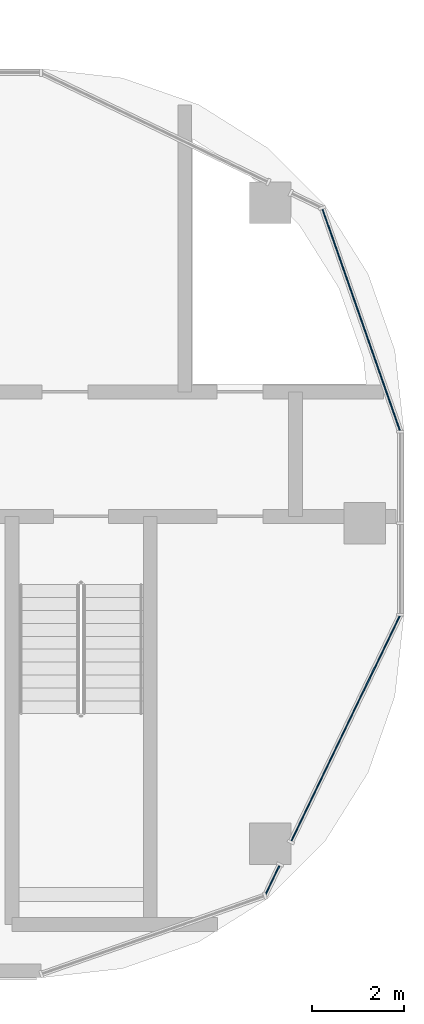
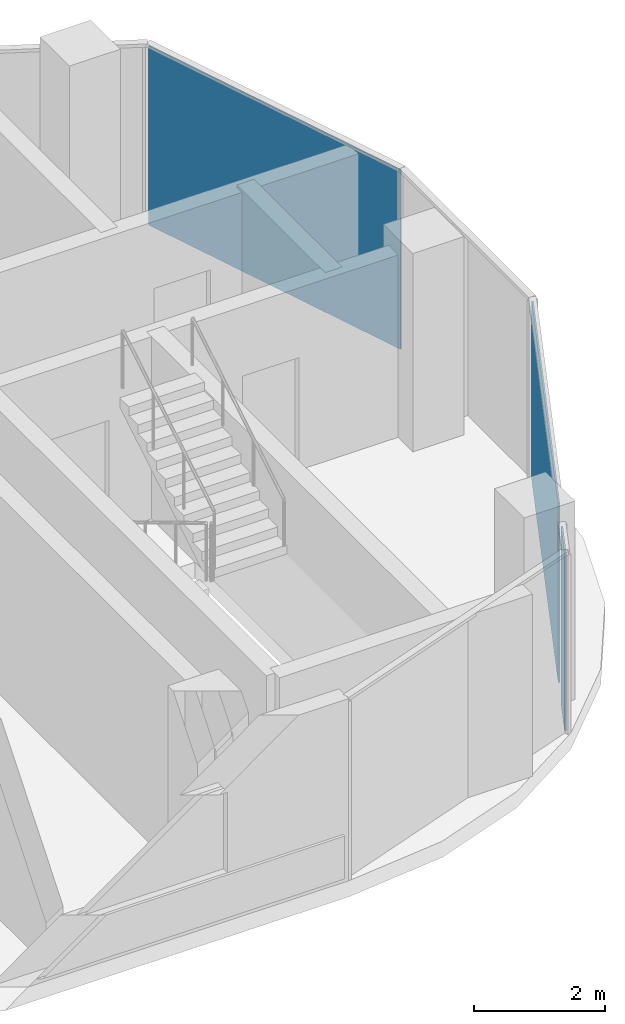
# One storey, part 9 of 20: 3 plates, 3 elements without a shape of their own.
"""IFC4 building model written with IfcOpenShell, lengths in metres."""

from ifc_helpers import new_model, si_unit, direction, frame, origin, origin_2d, place, context, subcontext, project, spatial, rectangle, extrude, material, layer, layer_set, type_object, element, aggregate, save


model = new_model("IFC4")

# Units and contexts
model_context = context("Model", 3, precision=1e-05, world=origin(), true_north=direction((0.0, 1.0)))
body_context = subcontext(model_context, "Body", "Model", "MODEL_VIEW")
ifc_project = project(units=[si_unit("LENGTHUNIT", "METRE"), si_unit("AREAUNIT", "SQUARE_METRE"), si_unit("VOLUMEUNIT", "CUBIC_METRE"), si_unit("PLANEANGLEUNIT", "RADIAN"), si_unit("MASSUNIT", "GRAM", prefix="KILO")], contexts=[model_context])

# Site, building, storey
site_placement = place(None, origin())
site = spatial("IfcSite", under=ifc_project, at=site_placement, CompositionType="ELEMENT")
building_placement = place(site_placement, origin())
building = spatial("IfcBuilding", under=site, at=building_placement, Name="Ogive Portal Towers", CompositionType="ELEMENT")
storey_placement = place(building_placement, frame((0.0, 0.0, 210.60009765625)))
storey = spatial("IfcBuildingStorey", under=building, at=storey_placement, Name="L52", CompositionType="ELEMENT", Elevation=210.60009765625)

# Curtain wall, plate
ifc_material = material(Name="Glass, clear low-iron insulated glazing", Category="glass")
curtain_wall_type = type_object("IfcCurtainWallType", Name="CW FRONT RIBBON 4500", PredefinedType="NOTDEFINED", material=ifc_material)
curtain_wall_1_placement = place(storey_placement, origin())
curtain_wall_1 = element("IfcCurtainWall", 1, at=curtain_wall_1_placement, inside=storey, type_object=curtain_wall_type, Name="A:L52:f06:cwa~0", PredefinedType="NOTDEFINED")
ifc_layer = layer(ifc_material, 0.028076171875)
ifc_layer_set = layer_set([ifc_layer], Name="CW PANEL IGU 28")
plate_type = type_object("IfcPlateType", Name="CW PANEL IGU 28", PredefinedType="CURTAIN_PANEL", material=ifc_layer_set)
plate_1_placement = place(storey_placement, frame((92.502685546875, 22.76171875, 0.0), z_axis=(0.0, 0.0, 1.0), x_axis=(0.433883739113, 0.900968867905, 0.0)))
plate_1 = element("IfcPlate", 2, at=plate_1_placement, type_object=plate_type, Name="panel", PredefinedType="CURTAIN_PANEL", context=body_context, shape_type="SweptSolid", body=[
    extrude(rectangle(XDim=0.691162109375, YDim=0.028076171875, at=origin_2d()), origin(), (0.0, 0.0, 1.0), 3.340087890625),
])
aggregate(curtain_wall_1, [plate_1])

curtain_wall_2_placement = place(storey_placement, origin())
curtain_wall_2 = element("IfcCurtainWall", 3, at=curtain_wall_2_placement, inside=storey, type_object=curtain_wall_type, Name="A:L52:f06:cwa~1", PredefinedType="NOTDEFINED")
plate_2_placement = place(storey_placement, frame((94.08740234375, 26.052490234375, 0.0), z_axis=(0.0, 0.0, 1.0), x_axis=(0.433883739113, 0.900968867905, 0.0)))
plate_2 = element("IfcPlate", 4, at=plate_2_placement, type_object=plate_type, Name="panel", PredefinedType="CURTAIN_PANEL", context=body_context, shape_type="SweptSolid", body=[
    extrude(rectangle(XDim=5.413818359375, YDim=0.028076171875, at=origin_2d()), origin(), (0.0, 0.0, 1.0), 3.340087890625),
])
aggregate(curtain_wall_2, [plate_2])

curtain_wall_3_placement = place(storey_placement, origin())
curtain_wall_3 = element("IfcCurtainWall", 5, at=curtain_wall_3_placement, inside=storey, type_object=curtain_wall_type, Name="A:L52:f09:cwa~0", PredefinedType="NOTDEFINED")
plate_3_placement = place(storey_placement, frame((94.42578125, 34.9130859375, 0.0), z_axis=(0.0, 0.0, 1.0), x_axis=(-0.33027906196, 0.943883330307, 0.0)))
plate_3 = element("IfcPlate", 6, at=plate_3_placement, type_object=plate_type, Name="panel", PredefinedType="CURTAIN_PANEL", context=body_context, shape_type="SweptSolid", body=[
    extrude(rectangle(XDim=5.08203125, YDim=0.028076171875, at=origin_2d()), origin(), (0.0, 0.0, 1.0), 3.340087890625),
])
aggregate(curtain_wall_3, [plate_3])

save(model, "model.ifc")
